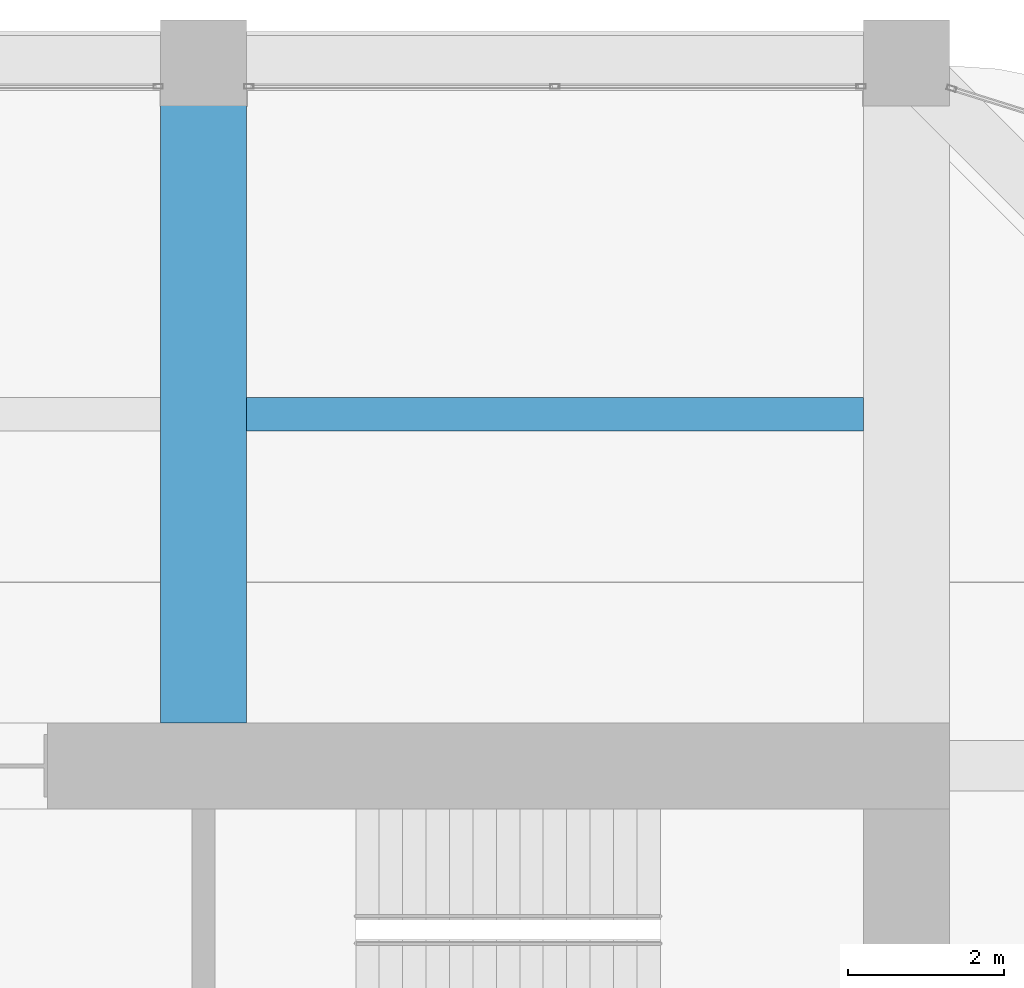
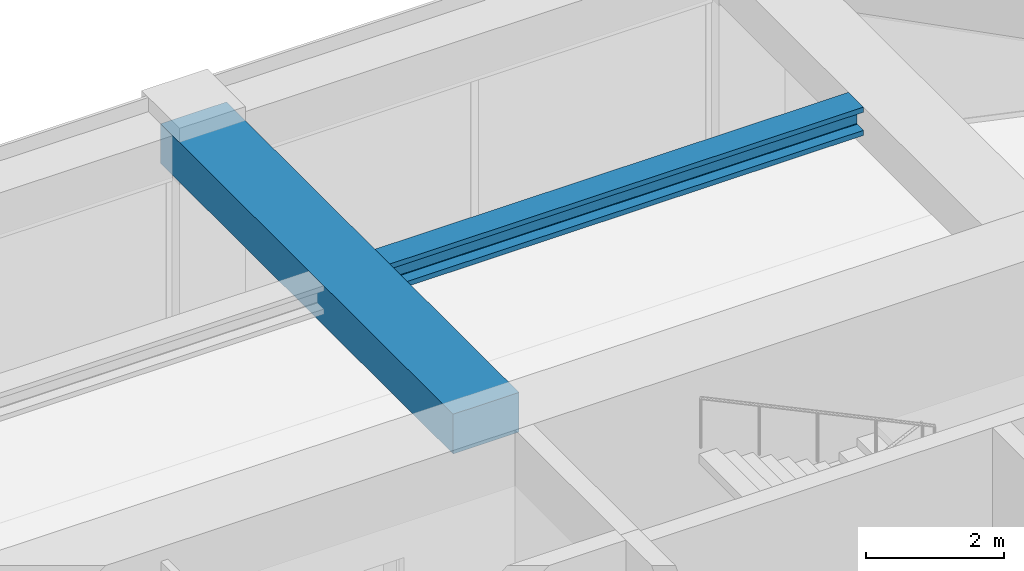
# One storey, part 34 of 44: 2 beams.
"""IFC4 building model written with IfcOpenShell, lengths in metres."""

import ifcopenshell
import ifcopenshell.guid

model = None  # the IFC model being written
_history = None  # IfcOwnerHistory: only IFC2X3 demands one
_inside = {}  # id of a spatial element -> (the spatial element, [elements in it])
_under = {}  # id of a project, library or spatial element -> (it, [spatial elements below it])
_declared = {}  # id of a project -> (the project, [libraries it declares])
_typed = {}  # id of a type object -> (the type object, [elements of that type])
_made_of = {}  # id of a material, layer set ... -> (it, [elements and type objects made of it])


def new_model(schema):
    """Start an empty IFC model of exactly this schema.

    Asked for "IFC4X3", IfcOpenShell would pick the latest addendum, in which some entities
    have other attributes; the version numbers below select the first issue.
    IFC2X3 requires an IfcOwnerHistory on every rooted entity: one is made here for all.
    """
    global model, _history
    if schema == "IFC4X3":
        model = ifcopenshell.file(schema_version=(4, 3, 0, 0))
    else:
        model = ifcopenshell.file(schema=schema)
    _inside.clear()
    _under.clear()
    _declared.clear()
    _typed.clear()
    _made_of.clear()
    _history = None
    if model.schema == "IFC2X3":
        org = make("IfcOrganization", Name="unknown")
        user = make(
            "IfcPersonAndOrganization",
            ThePerson=make("IfcPerson", FamilyName="unknown"),
            TheOrganization=org,
        )
        app = make(
            "IfcApplication",
            ApplicationDeveloper=org,
            Version="unknown",
            ApplicationFullName="unknown",
            ApplicationIdentifier="unknown",
        )
        _history = make(
            "IfcOwnerHistory",
            OwningUser=user,
            OwningApplication=app,
            ChangeAction="ADDED",
            CreationDate=0,
        )
    return model


def make(cls, **values):
    """One entity of the class cls with the attributes given. An attribute that is None is left unset."""
    return model.create_entity(
        cls, **{name: value for name, value in values.items() if value is not None}
    )


def rooted(cls, **values):
    """An entity with a GlobalId (a new one), such as an element, a storey or a relation."""
    return make(cls, GlobalId=ifcopenshell.guid.new(), OwnerHistory=_history, **values)


def si_unit(unit_type, name, prefix=None):
    """IfcSIUnit, for example si_unit("LENGTHUNIT", "METRE", prefix="MILLI")."""
    return make("IfcSIUnit", UnitType=unit_type, Prefix=prefix, Name=name)


def assignment(units):
    """IfcUnitAssignment: the units of a project."""
    return None if units is None else make("IfcUnitAssignment", Units=units)


def point(xyz):
    """IfcCartesianPoint."""
    return None if xyz is None else make("IfcCartesianPoint", Coordinates=xyz)


def direction(xyz):
    """IfcDirection."""
    return None if xyz is None else make("IfcDirection", DirectionRatios=xyz)


def frame(location, z_axis=None, x_axis=None):
    """IfcAxis2Placement3D, a coordinate frame: its origin and axes. An axis left out is left unset."""
    return make(
        "IfcAxis2Placement3D",
        Location=point(location),
        Axis=direction(z_axis),
        RefDirection=direction(x_axis),
    )


def frame_2d(location, x_axis=None):
    """IfcAxis2Placement2D, a coordinate frame in the plane: its origin and x axis."""
    return make(
        "IfcAxis2Placement2D", Location=point(location), RefDirection=direction(x_axis)
    )


def origin():
    """The frame at (0, 0, 0) with its axes left unset."""
    return frame((0.0, 0.0, 0.0))


def origin_2d():
    """The frame at (0, 0) in the plane with its x axis left unset."""
    return frame_2d((0.0, 0.0))


def place(relative_to, where):
    """IfcLocalPlacement: puts the frame where relative to a parent placement (None: the world)."""
    return make(
        "IfcLocalPlacement", PlacementRelTo=relative_to, RelativePlacement=where
    )


def context(
    kind, dimensions, precision=None, world=None, true_north=None, identifier=None
):
    """IfcGeometricRepresentationContext, for example the 3D "Model" context."""
    return make(
        "IfcGeometricRepresentationContext",
        ContextIdentifier=identifier,
        ContextType=kind,
        CoordinateSpaceDimension=dimensions,
        Precision=precision,
        WorldCoordinateSystem=world,
        TrueNorth=true_north,
    )


def subcontext(parent, identifier, kind, view, scale=None):
    """IfcGeometricRepresentationSubContext, for example "Body" below "Model"."""
    return make(
        "IfcGeometricRepresentationSubContext",
        ContextIdentifier=identifier,
        ContextType=kind,
        ParentContext=parent,
        TargetScale=scale,
        TargetView=view,
    )


def project(units=None, contexts=None):
    """IfcProject with its units and contexts."""
    return rooted(
        "IfcProject",
        Name="project",
        RepresentationContexts=contexts,
        UnitsInContext=assignment(units),
    )


def spatial(cls, under=None, at=None, **own):
    """A site, building, storey or space (cls), placed at a placement, below another one or the project."""
    s = rooted(cls, ObjectPlacement=at, **own)
    if under is not None:
        _under.setdefault(under.id(), (under, []))[1].append(s)
    return s


def profile(cls, at=None, kind="AREA", **sizes):
    """A parametric profile (cls). Its sizes go by their IFC names, for example OverallWidth=200.0."""
    return make(cls, ProfileType=kind, Position=at, **sizes)


def rectangle(**sizes):
    """IfcRectangleProfileDef."""
    return profile("IfcRectangleProfileDef", **sizes)


def i_section(**sizes):
    """IfcIShapeProfileDef."""
    return profile("IfcIShapeProfileDef", **sizes)


def extrude(swept, where, along, depth):
    """IfcExtrudedAreaSolid: the profile swept, set in the frame where, extruded along a direction by depth."""
    return make(
        "IfcExtrudedAreaSolid",
        SweptArea=swept,
        Position=where,
        ExtrudedDirection=direction(along),
        Depth=depth,
    )


def shape(context_of_items, identifier, shape_type, items):
    """IfcShapeRepresentation: the items that make up one representation, for example the "Body"."""
    return make(
        "IfcShapeRepresentation",
        ContextOfItems=context_of_items,
        RepresentationIdentifier=identifier,
        RepresentationType=shape_type,
        Items=items,
    )


def material(Name=None, Category=None):
    """IfcMaterial."""
    return make("IfcMaterial", Name=Name, Category=Category)


def material_profile(
    of_material, cross_section, Name=None, Category=None, Priority=None
):
    """IfcMaterialProfile: a cross section and its material."""
    return make(
        "IfcMaterialProfile",
        Name=Name,
        Material=of_material,
        Profile=cross_section,
        Priority=Priority,
        Category=Category,
    )


def profile_set(profiles, Name=None, composite=None):
    """IfcMaterialProfileSet."""
    return make(
        "IfcMaterialProfileSet",
        Name=Name,
        MaterialProfiles=profiles,
        CompositeProfile=composite,
    )


def made_of(thing, what):
    """Note that an element or type object is made of a material, layer set ...; save() writes the relation."""
    if what is not None:
        _made_of.setdefault(what.id(), (what, []))[1].append(thing)
    return thing


def type_object(cls, material=None, **own):
    """A type object (cls), such as IfcWallType, which elements share."""
    return made_of(rooted(cls, **own), material)


def element(
    cls,
    number,
    at=None,
    inside=None,
    cuts=None,
    type_object=None,
    material=None,
    context=None,
    identifier="Body",
    shape_type=None,
    held_by="IfcProductDefinitionShape",
    body=None,
    shapes=None,
    **own,
):
    """One element of the class cls, such as IfcWall. Its Tag is "e" and its number.

    at: its placement. inside: the storey or other place that contains it. cuts: it is an
    opening in that element (IfcRelVoidsElement). A single representation is given by context,
    identifier, shape_type and body (its items); several are given by shapes. held_by: the class
    of the entity that holds the representations. save() writes the other relations.
    """
    e = rooted(cls, Tag="e%d" % number, ObjectPlacement=at, **own)
    if body is not None:
        shapes = [shape(context, identifier, shape_type, body)]
    if shapes is not None:
        e.Representation = make(held_by, Representations=shapes)
    if inside is not None:
        _inside.setdefault(inside.id(), (inside, []))[1].append(e)
    if cuts is not None:
        rooted(
            "IfcRelVoidsElement", RelatingBuildingElement=cuts, RelatedOpeningElement=e
        )
    if type_object is not None:
        _typed.setdefault(type_object.id(), (type_object, []))[1].append(e)
    return made_of(e, material)


def aggregate(whole, parts):
    """IfcRelAggregates: a whole, such as a stair, and the parts it consists of."""
    return rooted("IfcRelAggregates", RelatingObject=whole, RelatedObjects=parts)


def save(model, path):
    """Write the relations noted so far, then the file.

    IfcRelAggregates (storeys below a building ...), IfcRelContainedInSpatialStructure (elements
    in a storey), IfcRelDefinesByType, IfcRelAssociatesMaterial and IfcRelDeclares: one each for
    every whole, place, type object, material and project.
    """
    for whole, parts in _under.values():
        aggregate(whole, parts)
    for where, things in _inside.values():
        rooted(
            "IfcRelContainedInSpatialStructure",
            RelatedElements=things,
            RelatingStructure=where,
        )
    for kind, things in _typed.values():
        rooted("IfcRelDefinesByType", RelatedObjects=things, RelatingType=kind)
    for what, things in _made_of.values():
        rooted("IfcRelAssociatesMaterial", RelatedObjects=things, RelatingMaterial=what)
    for by, libraries in _declared.values():
        rooted("IfcRelDeclares", RelatingContext=by, RelatedDefinitions=libraries)
    model.write(path)


model = new_model("IFC4")

# Units and contexts
model_context = context("Model", 3, precision=1e-05, world=origin(), true_north=direction((0.0, 1.0)))
body_context = subcontext(model_context, "Body", "Model", "MODEL_VIEW")
ifc_project = project(units=[si_unit("LENGTHUNIT", "METRE"), si_unit("AREAUNIT", "SQUARE_METRE"), si_unit("VOLUMEUNIT", "CUBIC_METRE"), si_unit("PLANEANGLEUNIT", "RADIAN"), si_unit("MASSUNIT", "GRAM", prefix="KILO")], contexts=[model_context])

# Site, building, storey
site_placement = place(None, origin())
site = spatial("IfcSite", under=ifc_project, at=site_placement, CompositionType="ELEMENT")
building_placement = place(site_placement, origin())
building = spatial("IfcBuilding", under=site, at=building_placement, Name="Zorevar Civic Tower", CompositionType="ELEMENT")
storey_placement = place(building_placement, frame((0.0, 0.0, 287.39990234375)))
storey = spatial("IfcBuildingStorey", under=building, at=storey_placement, Name="L70", CompositionType="ELEMENT", Elevation=287.39990234375)

# Beams
ifc_material_1 = material(Name="Concrete C50/60", Category="concrete")
ifc_material_profile_1 = material_profile(ifc_material_1, rectangle(XDim=1.10009765625, YDim=0.699951171875, at=origin_2d()), Name="RC 1100x700")
ifc_profile_set_1 = profile_set([ifc_material_profile_1], Name="Concrete C50/60")
beam_type_1 = type_object("IfcBeamType", Name="Beam RC 1100x700", PredefinedType="BEAM", material=ifc_profile_set_1)
beam_1_placement = place(storey_placement, frame((36.0, 36.550048828125, 3.400146484375), z_axis=(0.0, 1.0, 0.0), x_axis=(-1.0, 0.0, 0.0)))
element("IfcBeam", 1, at=beam_1_placement, inside=storey, type_object=beam_type_1, Name="Girder L71", PredefinedType="BEAM", context=body_context, shape_type="SweptSolid", body=[
    extrude(rectangle(XDim=1.10009765625, YDim=0.699951171875, at=origin_2d()), origin(), (0.0, 0.0, 1.0), 8.449951171875),
])
ifc_material_2 = material(Name="Steel S460M (HISTAR 460)", Category="steel")
ifc_material_profile_2 = material_profile(ifc_material_2, i_section(OverallWidth=0.431884765625, OverallDepth=0.498046875, WebThickness=0.0556640625, FlangeThickness=0.0888671875, FilletRadius=0.014892578125, at=origin_2d()), Name="HD 400x744")
ifc_profile_set_2 = profile_set([ifc_material_profile_2], Name="Steel S460M (HISTAR 460)")
beam_type_2 = type_object("IfcBeamType", Name="Core bay beam HD 400x744", PredefinedType="BEAM", material=ifc_profile_set_2)
beam_2_placement = place(storey_placement, frame((36.550048828125, 40.5, 3.5009765625), z_axis=(1.0, 0.0, 0.0), x_axis=(0.0, 1.0, 0.0)))
element("IfcBeam", 2, at=beam_2_placement, inside=storey, type_object=beam_type_2, Name="Secondary beam L71", PredefinedType="BEAM", context=body_context, shape_type="SweptSolid", body=[
    extrude(i_section(OverallWidth=0.431884765625, OverallDepth=0.498046875, WebThickness=0.0556640625, FlangeThickness=0.0888671875, FilletRadius=0.014892578125, at=origin_2d()), origin(), (0.0, 0.0, 1.0), 7.89990234375),
])

save(model, "model.ifc")
